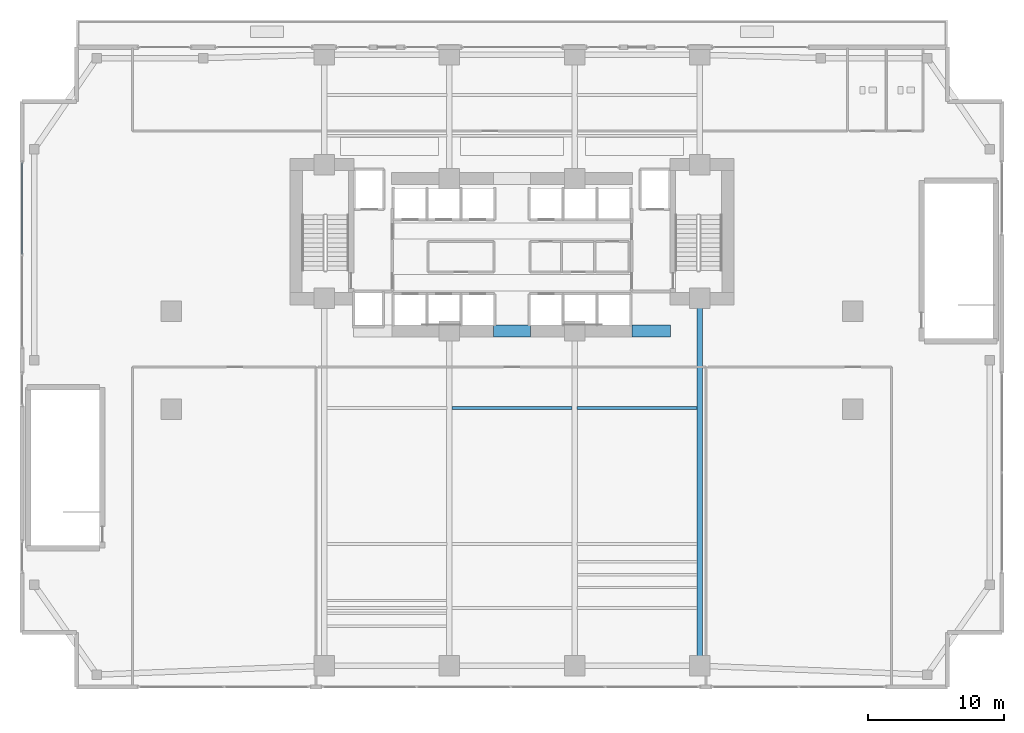
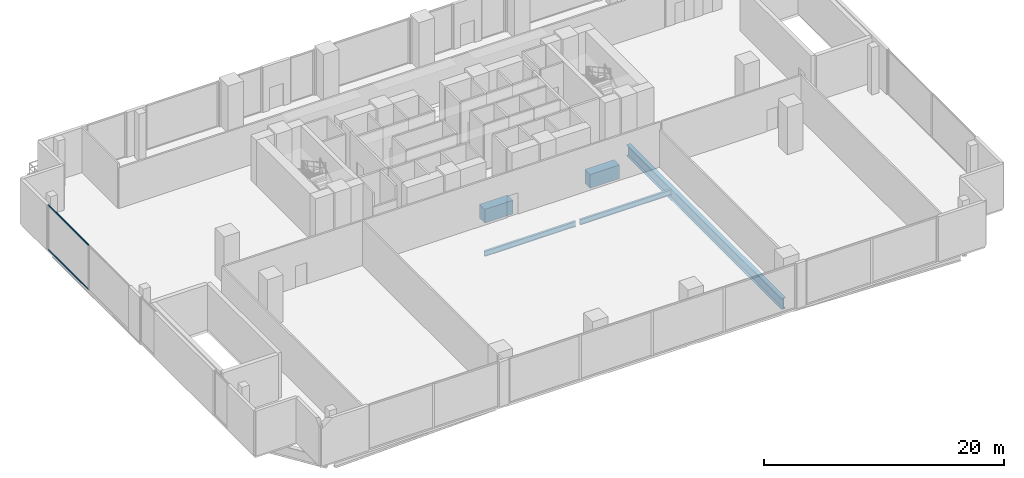
# One storey, part 11 of 28: 5 beams, 2 members, 1 element without a shape of its own.
"""IFC4 building model written with IfcOpenShell, lengths in metres."""

from ifc_helpers import new_model, si_unit, direction, frame, origin, origin_2d, place, context, subcontext, project, spatial, rectangle, hollow_rectangle, i_section, extrude, material, layer, layer_set, material_profile, profile_set, type_object, element, aggregate, save


model = new_model("IFC4")

# Units and contexts
model_context = context("Model", 3, precision=1e-05, world=origin(), true_north=direction((0.0, 1.0)))
body_context = subcontext(model_context, "Body", "Model", "MODEL_VIEW")
ifc_project = project(units=[si_unit("LENGTHUNIT", "METRE"), si_unit("AREAUNIT", "SQUARE_METRE"), si_unit("VOLUMEUNIT", "CUBIC_METRE"), si_unit("PLANEANGLEUNIT", "RADIAN"), si_unit("MASSUNIT", "GRAM", prefix="KILO")], contexts=[model_context])

# Site, building, storey
site_placement = place(None, origin())
site = spatial("IfcSite", under=ifc_project, at=site_placement, CompositionType="ELEMENT")
building_placement = place(site_placement, origin())
building = spatial("IfcBuilding", under=site, at=building_placement, Name="Zuhayl Quay Hotel", CompositionType="ELEMENT")
storey_placement = place(building_placement, frame((0.0, 0.0, 22.800048828125)))
storey = spatial("IfcBuildingStorey", under=building, at=storey_placement, Name="L04", CompositionType="ELEMENT", Elevation=22.800048828125)

# Beams
ifc_material_1 = material(Name="Concrete C60/75", Category="concrete")
ifc_material_profile_1 = material_profile(ifc_material_1, rectangle(XDim=0.89990234375, YDim=1.39990234375, at=origin_2d()), Name="RC900X1400")
ifc_profile_set_1 = profile_set([ifc_material_profile_1], Name="Concrete C60/75")
beam_type_1 = type_object("IfcBeamType", Name="BM_CB1_RC900", PredefinedType="T_BEAM", material=ifc_profile_set_1)
beam_1_placement = place(storey_placement, frame((8.800048828125, 2.14990234375, -0.9599609375), z_axis=(1.0, 0.0, 0.0), x_axis=(0.0, 1.0, 0.0)))
element("IfcBeam", 1, at=beam_1_placement, inside=storey, type_object=beam_type_1, Name="L04 Core Coupling Beam SE", PredefinedType="T_BEAM", context=body_context, shape_type="SweptSolid", body=[
    extrude(rectangle(XDim=0.89990234375, YDim=1.39990234375, at=origin_2d()), origin(), (0.0, 0.0, 1.0), 2.849853515625),
])
beam_2_placement = place(storey_placement, frame((-1.35009765625, 2.14990234375, -0.9599609375), z_axis=(1.0, 0.0, 0.0), x_axis=(0.0, 1.0, 0.0)))
element("IfcBeam", 2, at=beam_2_placement, inside=storey, type_object=beam_type_1, Name="L04 Core Coupling Beam South", PredefinedType="T_BEAM", context=body_context, shape_type="SweptSolid", body=[
    extrude(rectangle(XDim=0.89990234375, YDim=1.39990234375, at=origin_2d()), origin(), (0.0, 0.0, 1.0), 2.7001953125),
])
ifc_material_2 = material(Name="Steel ASTM A992 Grade 50", Category="steel")
ifc_material_profile_2 = material_profile(ifc_material_2, i_section(OverallWidth=0.208984375, OverallDepth=0.532958984375, WebThickness=0.01025390625, FlangeThickness=0.015625, at=origin_2d()), Name="W21X62")
ifc_profile_set_2 = profile_set([ifc_material_profile_2], Name="Steel ASTM A992 Grade 50")
beam_type_2 = type_object("IfcBeamType", Name="BM_J1_W21X62", PredefinedType="JOIST", material=ifc_profile_set_2)
for number, where, z_axis, x_axis, name in (
    (3, (-4.406005859375, -3.5, -0.526611328125), (1.0, 0.0, 0.0), (0.0, 1.0, 0.0), "L04 Floor Beam J_POD_L04_3_2"),
    (4, (4.7939453125, -3.5, -0.526611328125), (1.0, 0.0, 0.0), (0.0, 1.0, 0.0), "L04 Floor Beam J_POD_L04_3_3"),
):
    element("IfcBeam", number, at=place(storey_placement, frame(where, z_axis=z_axis, x_axis=x_axis)), inside=storey, type_object=beam_type_2, Name=name, PredefinedType="JOIST", context=body_context, shape_type="SweptSolid", body=[
        extrude(i_section(OverallWidth=0.208984375, OverallDepth=0.532958984375, WebThickness=0.01025390625, FlangeThickness=0.015625, at=origin_2d()), origin(), (0.0, 0.0, 1.0), 8.81201171875),
    ])
ifc_material_3 = material(Name="Steel ASTM A913 Grade 65", Category="steel")
ifc_material_profile_3 = material_profile(ifc_material_3, i_section(OverallWidth=0.404052734375, OverallDepth=1.117919921875, WebThickness=0.026123046875, FlangeThickness=0.044921875, at=origin_2d()), Name="W44X335")
ifc_profile_set_3 = profile_set([ifc_material_profile_3], Name="Steel ASTM A913 Grade 65")
beam_type_3 = type_object("IfcBeamType", Name="BM_TG1_W44X335", PredefinedType="BEAM", material=ifc_profile_set_3)
beam_3_placement = place(storey_placement, frame((13.800048828125, -21.929931640625, -0.819091796875), z_axis=(0.0, 1.0, 0.0), x_axis=(-1.0, 0.0, 0.0)))
element("IfcBeam", 5, at=beam_3_placement, inside=storey, type_object=beam_type_3, Name="L04 Floor Beam PG_NS_BALL_L04_4", PredefinedType="BEAM", context=body_context, shape_type="SweptSolid", body=[
    extrude(i_section(OverallWidth=0.404052734375, OverallDepth=1.117919921875, WebThickness=0.026123046875, FlangeThickness=0.044921875, at=origin_2d()), origin(), (0.0, 0.0, 1.0), 25.909912109375),
])

# Curtain wall, members
ifc_material_4 = material(Name="Anodised Aluminium 6063-T6", Category="aluminium")
ifc_layer = layer(ifc_material_4, 0.199951171875, Name="Anodised Aluminium 6063-T6", Category="aluminium")
ifc_layer_set = layer_set([ifc_layer], Name="Anodised Aluminium 6063-T6")
curtain_wall_type = type_object("IfcCurtainWallType", Name="CW_SYS_POD", PredefinedType="USERDEFINED", material=ifc_layer_set)
curtain_wall_placement = place(storey_placement, origin())
curtain_wall = element("IfcCurtainWall", 6, at=curtain_wall_placement, inside=storey, type_object=curtain_wall_type, Name="L04 Curtain Wall ENV_L04_E02_CW3", ObjectType="UNITISED CURTAIN WALL", PredefinedType="USERDEFINED")
ifc_material_5 = material(Name="Black-anodised aluminium 6063-T6", Category="aluminium")
ifc_material_profile_4 = material_profile(ifc_material_5, hollow_rectangle(XDim=0.06005859375, YDim=0.14990234375, WallThickness=0.00341796875, at=origin_2d()), Name="ALU150X60")
ifc_profile_set_4 = profile_set([ifc_material_profile_4], Name="Black-anodised aluminium 6063-T6")
member_type = type_object("IfcMemberType", Name="MB_CW_TRN_150", PredefinedType="USERDEFINED", material=ifc_profile_set_4)
member_1_placement = place(storey_placement, frame((-36.0, 7.78759765625, 0.030029296875), z_axis=(0.0, 1.0, 0.0), x_axis=(-1.0, 0.0, 0.0)))
member_1 = element("IfcMember", 7, at=member_1_placement, type_object=member_type, Name="CW-POD transom 2.1", ObjectType="TRANSOM", PredefinedType="USERDEFINED", context=body_context, shape_type="SweptSolid", body=[
    extrude(hollow_rectangle(XDim=0.06005859375, YDim=0.14990234375, WallThickness=0.00341796875, at=origin_2d()), origin(), (0.0, 0.0, 1.0), 6.71728515625),
])
member_2_placement = place(storey_placement, frame((-36.0, 7.78759765625, 4.550048828125), z_axis=(0.0, 1.0, 0.0), x_axis=(-1.0, 0.0, 0.0)))
member_2 = element("IfcMember", 8, at=member_2_placement, type_object=member_type, Name="CW-POD transom 2.2", ObjectType="TRANSOM", PredefinedType="USERDEFINED", context=body_context, shape_type="SweptSolid", body=[
    extrude(hollow_rectangle(XDim=0.06005859375, YDim=0.14990234375, WallThickness=0.00341796875, at=origin_2d()), origin(), (0.0, 0.0, 1.0), 6.71728515625),
])
aggregate(curtain_wall, [member_1, member_2])

save(model, "model.ifc")
